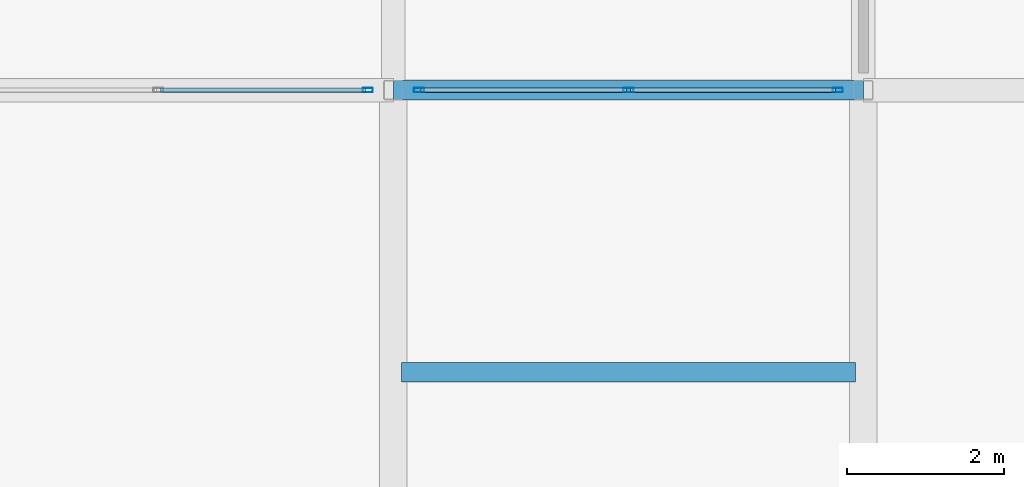
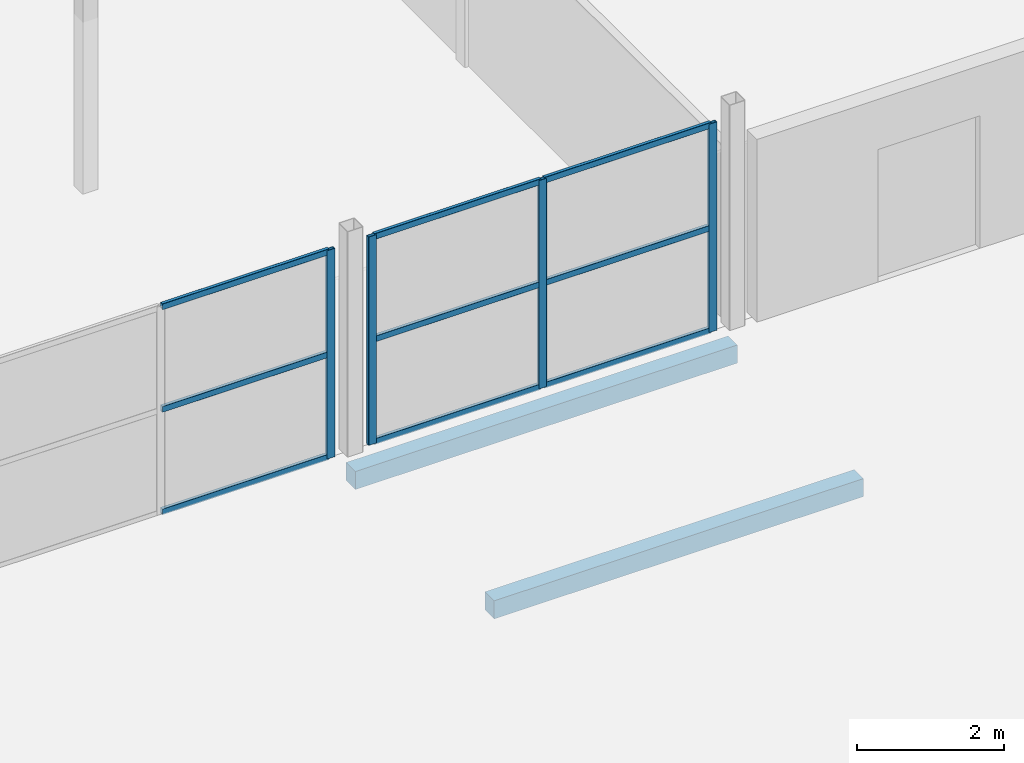
# One storey, part 156 of 239: 13 members, 2 beams, 2 elements without a shape of their own.
"""IFC4 building model written with IfcOpenShell, lengths in metres."""

from ifc_helpers import new_model, si_unit, direction, frame, origin, origin_2d, place, context, subcontext, project, spatial, rectangle, hollow_rectangle, extrude, material, layer, layer_set, material_profile, profile_set, type_object, element, aggregate, save


model = new_model("IFC4")

# Units and contexts
model_context = context("Model", 3, precision=1e-05, world=origin(), true_north=direction((0.0, 1.0)))
body_context = subcontext(model_context, "Body", "Model", "MODEL_VIEW")
ifc_project = project(units=[si_unit("LENGTHUNIT", "METRE"), si_unit("AREAUNIT", "SQUARE_METRE"), si_unit("VOLUMEUNIT", "CUBIC_METRE"), si_unit("PLANEANGLEUNIT", "RADIAN"), si_unit("MASSUNIT", "GRAM", prefix="KILO")], contexts=[model_context])

# Site, building, storey
site_placement = place(None, origin())
site = spatial("IfcSite", under=ifc_project, at=site_placement, CompositionType="ELEMENT")
building_placement = place(site_placement, origin())
building = spatial("IfcBuilding", under=site, at=building_placement, Name="Dunvalen Ferry Terminal", CompositionType="ELEMENT")
storey_placement = place(building_placement, frame((0.0, 0.0, 9.840087890625)))
storey = spatial("IfcBuildingStorey", under=building, at=storey_placement, Name="L02", CompositionType="ELEMENT", Elevation=9.840087890625)

# Curtain wall, member
ifc_material_1 = material(Name="Anodised marine aluminium and solar-control glazing", Category="aluminium")
ifc_layer = layer(ifc_material_1, 0.159912109375, Name="Anodised marine aluminium and solar-control glazing")
ifc_layer_set = layer_set([ifc_layer], Name="Anodised marine aluminium and solar-control glazing")
curtain_wall_type = type_object("IfcCurtainWallType", Name="ENV-CW-SYS-09", PredefinedType="NOTDEFINED", material=ifc_layer_set)
curtain_wall_1_placement = place(storey_placement, origin())
curtain_wall_1 = element("IfcCurtainWall", 1, at=curtain_wall_1_placement, inside=storey, type_object=curtain_wall_type, Name="L02 Curtain Wall CW-PAV-S-4", PredefinedType="NOTDEFINED")
ifc_material_2 = material(Name="Anodised marine aluminium EN AW-6063 T6", Category="aluminium")
ifc_material_profile_1 = material_profile(ifc_material_2, hollow_rectangle(XDim=0.054931640625, YDim=0.1298828125, WallThickness=0.003173828125, InnerFilletRadius=0.003173828125, OuterFilletRadius=0.00634765625, at=origin_2d()), Name="Anodised marine aluminium EN AW-6063 T6")
ifc_profile_set_1 = profile_set([ifc_material_profile_1], Name="Anodised marine aluminium EN AW-6063 T6")
member_type_1 = type_object("IfcMemberType", Name="ENV-CW-MUL-4", PredefinedType="MULLION", material=ifc_profile_set_1)
member_1_placement = place(storey_placement, frame((137.672607421875, 14.39990234375, 0.0), z_axis=(0.0, 0.0, 1.0), x_axis=(0.0, 1.0, 0.0)))
member_1 = element("IfcMember", 2, at=member_1_placement, type_object=member_type_1, Name="CW-09 mullion 3", PredefinedType="MULLION", context=body_context, shape_type="SweptSolid", body=[
    extrude(hollow_rectangle(XDim=0.054931640625, YDim=0.1298828125, WallThickness=0.003173828125, InnerFilletRadius=0.003173828125, OuterFilletRadius=0.00634765625, at=origin_2d()), origin(), (0.0, 0.0, 1.0), 3.4599609375),
])

# Curtain wall, members
curtain_wall_2_placement = place(storey_placement, origin())
curtain_wall_2 = element("IfcCurtainWall", 3, at=curtain_wall_2_placement, inside=storey, type_object=curtain_wall_type, Name="L02 Curtain Wall CW-PAV-S-5", PredefinedType="NOTDEFINED")
member_2_placement = place(storey_placement, frame((138.327392578125, 14.39990234375, 0.0), z_axis=(0.0, 0.0, 1.0), x_axis=(0.0, 1.0, 0.0)))
member_2 = element("IfcMember", 4, at=member_2_placement, type_object=member_type_1, Name="CW-09 mullion 1", PredefinedType="MULLION", context=body_context, shape_type="SweptSolid", body=[
    extrude(hollow_rectangle(XDim=0.054931640625, YDim=0.1298828125, WallThickness=0.003173828125, InnerFilletRadius=0.003173828125, OuterFilletRadius=0.00634765625, at=origin_2d()), origin(), (0.0, 0.0, 1.0), 3.4599609375),
])
member_3_placement = place(storey_placement, frame((141.0, 14.39990234375, 0.0), z_axis=(0.0, 0.0, 1.0), x_axis=(0.0, 1.0, 0.0)))
member_3 = element("IfcMember", 5, at=member_3_placement, type_object=member_type_1, Name="CW-09 mullion 2", PredefinedType="MULLION", context=body_context, shape_type="SweptSolid", body=[
    extrude(hollow_rectangle(XDim=0.054931640625, YDim=0.1298828125, WallThickness=0.003173828125, InnerFilletRadius=0.003173828125, OuterFilletRadius=0.00634765625, at=origin_2d()), origin(), (0.0, 0.0, 1.0), 3.4599609375),
])
member_4_placement = place(storey_placement, frame((143.672607421875, 14.39990234375, 0.0), z_axis=(0.0, 0.0, 1.0), x_axis=(0.0, 1.0, 0.0)))
member_4 = element("IfcMember", 6, at=member_4_placement, type_object=member_type_1, Name="CW-09 mullion 3", PredefinedType="MULLION", context=body_context, shape_type="SweptSolid", body=[
    extrude(hollow_rectangle(XDim=0.054931640625, YDim=0.1298828125, WallThickness=0.003173828125, InnerFilletRadius=0.003173828125, OuterFilletRadius=0.00634765625, at=origin_2d()), origin(), (0.0, 0.0, 1.0), 3.4599609375),
])

# Member
ifc_material_profile_2 = material_profile(ifc_material_2, hollow_rectangle(XDim=0.054931640625, YDim=0.10009765625, WallThickness=0.0029296875, InnerFilletRadius=0.0029296875, OuterFilletRadius=0.006103515625, at=origin_2d()), Name="Anodised marine aluminium EN AW-6063 T6")
ifc_profile_set_2 = profile_set([ifc_material_profile_2], Name="Anodised marine aluminium EN AW-6063 T6")
member_type_2 = type_object("IfcMemberType", Name="ENV-CW-TRN-4", PredefinedType="USERDEFINED", material=ifc_profile_set_2)
member_5_placement = place(storey_placement, frame((135.027587890625, 14.39990234375, 0.02734375), z_axis=(1.0, 0.0, 0.0), x_axis=(0.0, 1.0, 0.0)))
member_5 = element("IfcMember", 7, at=member_5_placement, type_object=member_type_2, Name="CW-09 transom 2.1", ObjectType="TRANSOM", PredefinedType="USERDEFINED", context=body_context, shape_type="SweptSolid", body=[
    extrude(hollow_rectangle(XDim=0.054931640625, YDim=0.10009765625, WallThickness=0.0029296875, InnerFilletRadius=0.0029296875, OuterFilletRadius=0.006103515625, at=origin_2d()), origin(), (0.0, 0.0, 1.0), 2.617431640625),
])

member_6_placement = place(storey_placement, frame((135.027587890625, 14.39990234375, 1.72998046875), z_axis=(1.0, 0.0, 0.0), x_axis=(0.0, 1.0, 0.0)))
member_6 = element("IfcMember", 8, at=member_6_placement, type_object=member_type_2, Name="CW-09 transom 2.2", ObjectType="TRANSOM", PredefinedType="USERDEFINED", context=body_context, shape_type="SweptSolid", body=[
    extrude(hollow_rectangle(XDim=0.054931640625, YDim=0.10009765625, WallThickness=0.0029296875, InnerFilletRadius=0.0029296875, OuterFilletRadius=0.006103515625, at=origin_2d()), origin(), (0.0, 0.0, 1.0), 2.617431640625),
])

member_7_placement = place(storey_placement, frame((135.027587890625, 14.39990234375, 3.432373046875), z_axis=(1.0, 0.0, 0.0), x_axis=(0.0, 1.0, 0.0)))
member_7 = element("IfcMember", 9, at=member_7_placement, type_object=member_type_2, Name="CW-09 transom 2.3", ObjectType="TRANSOM", PredefinedType="USERDEFINED", context=body_context, shape_type="SweptSolid", body=[
    extrude(hollow_rectangle(XDim=0.054931640625, YDim=0.10009765625, WallThickness=0.0029296875, InnerFilletRadius=0.0029296875, OuterFilletRadius=0.006103515625, at=origin_2d()), origin(), (0.0, 0.0, 1.0), 2.617431640625),
])

aggregate(curtain_wall_1, [member_1, member_5, member_6, member_7])

member_8_placement = place(storey_placement, frame((138.35498046875, 14.39990234375, 0.02734375), z_axis=(1.0, 0.0, 0.0), x_axis=(0.0, 1.0, 0.0)))
member_8 = element("IfcMember", 10, at=member_8_placement, type_object=member_type_2, Name="CW-09 transom 1.1", ObjectType="TRANSOM", PredefinedType="USERDEFINED", context=body_context, shape_type="SweptSolid", body=[
    extrude(hollow_rectangle(XDim=0.054931640625, YDim=0.10009765625, WallThickness=0.0029296875, InnerFilletRadius=0.0029296875, OuterFilletRadius=0.006103515625, at=origin_2d()), origin(), (0.0, 0.0, 1.0), 2.617431640625),
])

member_9_placement = place(storey_placement, frame((138.35498046875, 14.39990234375, 1.72998046875), z_axis=(1.0, 0.0, 0.0), x_axis=(0.0, 1.0, 0.0)))
member_9 = element("IfcMember", 11, at=member_9_placement, type_object=member_type_2, Name="CW-09 transom 1.2", ObjectType="TRANSOM", PredefinedType="USERDEFINED", context=body_context, shape_type="SweptSolid", body=[
    extrude(hollow_rectangle(XDim=0.054931640625, YDim=0.10009765625, WallThickness=0.0029296875, InnerFilletRadius=0.0029296875, OuterFilletRadius=0.006103515625, at=origin_2d()), origin(), (0.0, 0.0, 1.0), 2.617431640625),
])

member_10_placement = place(storey_placement, frame((138.35498046875, 14.39990234375, 3.432373046875), z_axis=(1.0, 0.0, 0.0), x_axis=(0.0, 1.0, 0.0)))
member_10 = element("IfcMember", 12, at=member_10_placement, type_object=member_type_2, Name="CW-09 transom 1.3", ObjectType="TRANSOM", PredefinedType="USERDEFINED", context=body_context, shape_type="SweptSolid", body=[
    extrude(hollow_rectangle(XDim=0.054931640625, YDim=0.10009765625, WallThickness=0.0029296875, InnerFilletRadius=0.0029296875, OuterFilletRadius=0.006103515625, at=origin_2d()), origin(), (0.0, 0.0, 1.0), 2.617431640625),
])

member_11_placement = place(storey_placement, frame((141.027587890625, 14.39990234375, 0.02734375), z_axis=(1.0, 0.0, 0.0), x_axis=(0.0, 1.0, 0.0)))
member_11 = element("IfcMember", 13, at=member_11_placement, type_object=member_type_2, Name="CW-09 transom 2.1", ObjectType="TRANSOM", PredefinedType="USERDEFINED", context=body_context, shape_type="SweptSolid", body=[
    extrude(hollow_rectangle(XDim=0.054931640625, YDim=0.10009765625, WallThickness=0.0029296875, InnerFilletRadius=0.0029296875, OuterFilletRadius=0.006103515625, at=origin_2d()), origin(), (0.0, 0.0, 1.0), 2.617431640625),
])

member_12_placement = place(storey_placement, frame((141.027587890625, 14.39990234375, 1.72998046875), z_axis=(1.0, 0.0, 0.0), x_axis=(0.0, 1.0, 0.0)))
member_12 = element("IfcMember", 14, at=member_12_placement, type_object=member_type_2, Name="CW-09 transom 2.2", ObjectType="TRANSOM", PredefinedType="USERDEFINED", context=body_context, shape_type="SweptSolid", body=[
    extrude(hollow_rectangle(XDim=0.054931640625, YDim=0.10009765625, WallThickness=0.0029296875, InnerFilletRadius=0.0029296875, OuterFilletRadius=0.006103515625, at=origin_2d()), origin(), (0.0, 0.0, 1.0), 2.617431640625),
])

member_13_placement = place(storey_placement, frame((141.027587890625, 14.39990234375, 3.432373046875), z_axis=(1.0, 0.0, 0.0), x_axis=(0.0, 1.0, 0.0)))
member_13 = element("IfcMember", 15, at=member_13_placement, type_object=member_type_2, Name="CW-09 transom 2.3", ObjectType="TRANSOM", PredefinedType="USERDEFINED", context=body_context, shape_type="SweptSolid", body=[
    extrude(hollow_rectangle(XDim=0.054931640625, YDim=0.10009765625, WallThickness=0.0029296875, InnerFilletRadius=0.0029296875, OuterFilletRadius=0.006103515625, at=origin_2d()), origin(), (0.0, 0.0, 1.0), 2.617431640625),
])

aggregate(curtain_wall_2, [member_2, member_3, member_4, member_8, member_9, member_10, member_11, member_12, member_13])

# Beams
ifc_material_3 = material(Name="Concrete C35/45", Category="concrete")
ifc_material_profile_3 = material_profile(ifc_material_3, rectangle(XDim=0.25, YDim=0.300048828125, at=origin_2d()), Name="Concrete C35/45")
ifc_profile_set_3 = profile_set([ifc_material_profile_3], Name="Concrete C35/45")
beam_type = type_object("IfcBeamType", Name="STR-BM-RCL300", PredefinedType="LINTEL", material=ifc_profile_set_3)
beam_1_placement = place(storey_placement, frame((138.0, 14.39990234375, -0.43017578125), z_axis=(1.0, 0.0, 0.0), x_axis=(0.0, 1.0, 0.0)))
element("IfcBeam", 16, at=beam_1_placement, inside=storey, type_object=beam_type, Name="L02 V4 Primary Beam X-023", PredefinedType="LINTEL", context=body_context, shape_type="SweptSolid", body=[
    extrude(rectangle(XDim=0.25, YDim=0.300048828125, at=origin_2d()), origin(), (0.0, 0.0, 1.0), 6.0),
])
beam_2_placement = place(storey_placement, frame((138.10009765625, 10.800048828125, -0.43017578125), z_axis=(1.0, 0.0, 0.0), x_axis=(0.0, 1.0, 0.0)))
element("IfcBeam", 17, at=beam_2_placement, inside=storey, type_object=beam_type, Name="L02 V4 Secondary Joist 005", PredefinedType="LINTEL", context=body_context, shape_type="SweptSolid", body=[
    extrude(rectangle(XDim=0.25, YDim=0.300048828125, at=origin_2d()), origin(), (0.0, 0.0, 1.0), 5.7998046875),
])

save(model, "model.ifc")
